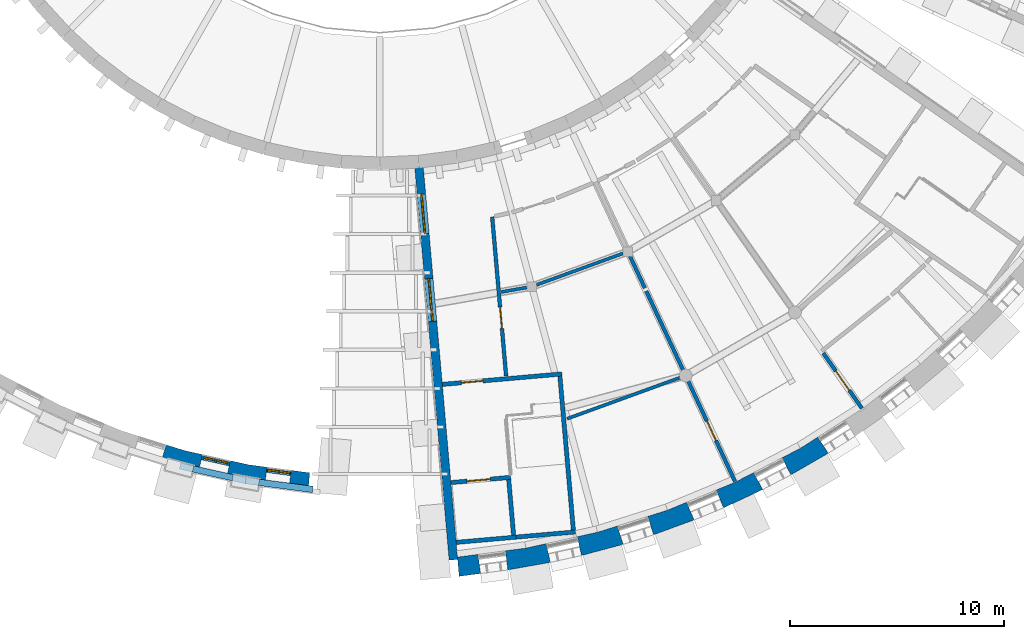
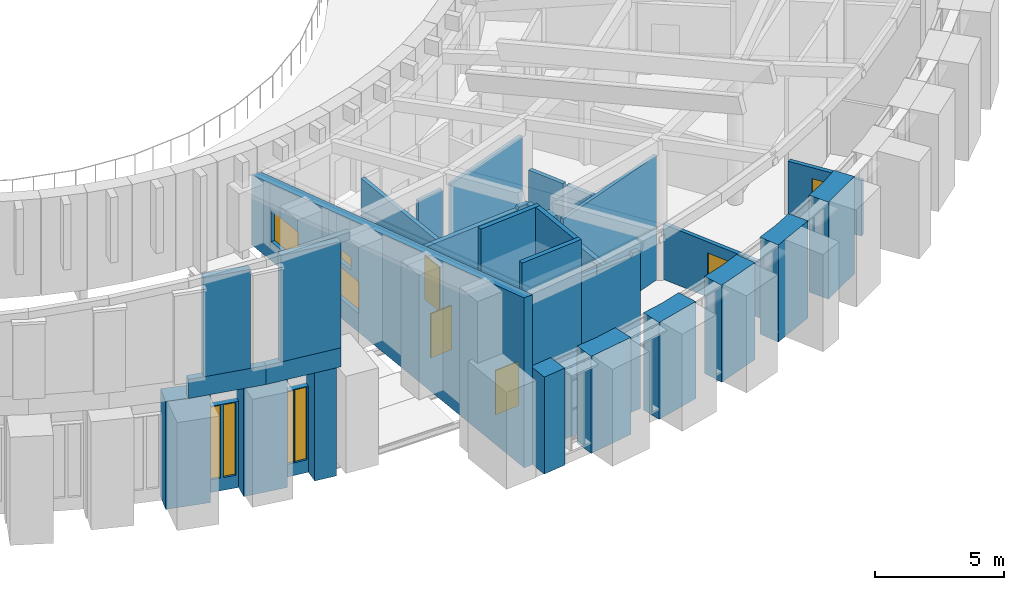
# One storey, part 24 of 50: 30 walls, 7 windows, 5 doors, 12 openings.
"""IFC4 building model written with IfcOpenShell, lengths in metres."""

from ifc_helpers import new_model, si_unit, direction, frame, frame_2d, origin, place, context, subcontext, project, spatial, polyline, rectangle, outline, extrude, material, layer, layer_set, type_object, element, fill, save


model = new_model("IFC4")

# Units and contexts
model_context = context("Model", 3, precision=1e-05, world=origin(), true_north=direction((0.0, 1.0)))
body_context = subcontext(model_context, "Body", "Model", "MODEL_VIEW")
ifc_project = project(units=[si_unit("LENGTHUNIT", "METRE"), si_unit("AREAUNIT", "SQUARE_METRE"), si_unit("VOLUMEUNIT", "CUBIC_METRE"), si_unit("PLANEANGLEUNIT", "RADIAN"), si_unit("MASSUNIT", "GRAM", prefix="KILO")], contexts=[model_context])

# Site, building, storey
site_placement = place(None, origin())
site = spatial("IfcSite", under=ifc_project, at=site_placement, CompositionType="ELEMENT")
building_placement = place(site_placement, origin())
building = spatial("IfcBuilding", under=site, at=building_placement, Name="Volute Hill Aquarium", CompositionType="ELEMENT")
storey_placement = place(building_placement, frame((0.0, 0.0, 9.199951171875)))
storey = spatial("IfcBuildingStorey", under=building, at=storey_placement, Name="L03", CompositionType="ELEMENT", Elevation=9.199951171875)

# Walls
ifc_material_1 = material(Name="Gypsum board on steel studs", Category="steel")
ifc_layer_1 = layer(ifc_material_1, 0.14990234375)
ifc_layer_set_1 = layer_set([ifc_layer_1], Name="Acoustic partition 150")
wall_type_1 = type_object("IfcWallType", Name="Acoustic partition 150", PredefinedType="PARTITIONING", material=ifc_layer_set_1)
wall_1_placement = place(storey_placement, frame((14.045166015625, -30.68505859375, 0.0), z_axis=(0.0, 0.0, 1.0), x_axis=(-0.939689857066, -0.342027736489, 0.0)))
element("IfcWall", 1, at=wall_1_placement, inside=storey, type_object=wall_type_1, Name="pw/S3/L03/004", PredefinedType="PARTITIONING", context=body_context, shape_type="SweptSolid", body=[
    extrude(rectangle(XDim=5.646240234375, YDim=0.14990234375, at=frame_2d((2.8232421875, 0.0))), origin(), (0.0, 0.0, 1.0), 5.904052734375),
])
wall_2_placement = place(storey_placement, frame((11.347412109375, -24.899658203125, 0.0), z_axis=(0.0, 0.0, 1.0), x_axis=(-0.939698761805, -0.342003270543, 0.0)))
element("IfcWall", 2, at=wall_2_placement, inside=storey, type_object=wall_type_1, Name="pw/S3/L03/007", PredefinedType="PARTITIONING", context=body_context, shape_type="SweptSolid", body=[
    extrude(rectangle(XDim=4.2939453125, YDim=0.14990234375, at=frame_2d((2.14697265625, 0.0))), origin(), (0.0, 0.0, 1.0), 4.262939453125),
])
wall_3_placement = place(storey_placement, frame((6.85107421875, -26.49169921875, 0.0), z_axis=(0.0, 0.0, 1.0), x_axis=(-0.984775389783, -0.173831618753, 0.0)))
element("IfcWall", 3, at=wall_3_placement, inside=storey, type_object=wall_type_1, Name="pw/S3/L03/024", PredefinedType="PARTITIONING", context=body_context, shape_type="SweptSolid", body=[
    extrude(rectangle(XDim=1.20361328125, YDim=0.14990234375, at=frame_2d((0.601806640625, 0.0))), origin(), (0.0, 0.0, 1.0), 4.262939453125),
])

# Wall, opening, door
ifc_material_2 = material(Name="Concrete C30/37", Category="concrete")
ifc_layer_2 = layer(ifc_material_2, 0.199951171875)
ifc_layer_set_2 = layer_set([ifc_layer_2], Name="Core wall 200 REI 60")
wall_type_2 = type_object("IfcWallType", Name="Core wall 200 REI 60", PredefinedType="SHEAR", material=ifc_layer_set_2)
wall_4_placement = place(storey_placement, frame((2.9140625, -31.013916015625, 0.0), z_axis=(0.0, 0.0, 1.0), x_axis=(0.996195468136, 0.08714694065, 0.0)))
wall_4 = element("IfcWall", 4, at=wall_4_placement, inside=storey, type_object=wall_type_2, Name="wc/S3-A/L03/in", PredefinedType="SHEAR", context=body_context, shape_type="SweptSolid", body=[
    extrude(outline(polyline([(0.0, 0.0), (5.60009765625, 0.0), (5.60009765625, 5.4150390625), (5.574951171875, 5.4150390625), (5.52490234375, 5.532470703125), (5.02490234375, 5.532470703125), (4.97509765625, 5.4150390625), (0.0, 5.4150390625), (0.0, 0.0)])), frame((0.0, 0.10009765625, 0.0), z_axis=(0.0, -1.0, 0.0), x_axis=(1.0, 0.0, 0.0)), (0.0, 0.0, 1.0), 0.199951171875),
])
opening_1_placement = place(wall_4_placement, frame((0.89990234375, 0.0, 0.0)))
opening_1 = element("IfcOpeningElement", 5, at=opening_1_placement, cuts=wall_4, Name="Opening D3.03.AS", PredefinedType="OPENING", context=body_context, shape_type="SweptSolid", body=[
    extrude(rectangle(XDim=1.0, YDim=2.10009765625, at=frame_2d((0.5, 1.050048828125))), frame((0.0, 0.10986328125, 0.0), z_axis=(0.0, -1.0, 0.0), x_axis=(1.0, 0.0, 0.0)), (0.0, 0.0, 1.0), 0.219970703125),
])
ifc_material_3 = material(Name="Timber, fire-rated", Category="wood")
door_type_1 = type_object("IfcDoorType", Name="Door 1000 x 2100 single EI1 30", OperationType="SINGLE_SWING_LEFT", PredefinedType="DOOR", material=ifc_material_3)
door_1_placement = place(opening_1_placement, origin())
door_1 = element("IfcDoor", 6, at=door_1_placement, inside=storey, type_object=door_type_1, Name="d/S3-A/L03/st", OperationType="SINGLE_SWING_RIGHT", OverallHeight=2.10009765625, OverallWidth=1.0, PredefinedType="DOOR", context=body_context, shape_type="SweptSolid", body=[
    extrude(rectangle(XDim=1.0, YDim=2.10009765625, at=frame_2d((0.5, 1.050048828125))), frame((0.0, 0.02490234375, 0.0), z_axis=(0.0, -1.0, 0.0), x_axis=(1.0, 0.0, 0.0)), (0.0, 0.0, 1.0), 0.050048828125),
])
fill(opening_1, door_1)

# Walls
wall_5_placement = place(storey_placement, frame((8.40185546875, -30.63427734375, 0.0), z_axis=(0.0, 0.0, 1.0), x_axis=(0.087144656612, -0.996195667941, 0.0)))
element("IfcWall", 7, at=wall_5_placement, inside=storey, type_object=wall_type_2, Name="wc/S3-A/L03/side", PredefinedType="SHEAR", context=body_context, shape_type="SweptSolid", body=[
    extrude(outline(polyline([(0.0, 0.0), (7.199951171875, 0.0), (7.199951171875, 5.5732421875), (1.7939453125, 5.5732421875), (1.743896484375, 5.923828125), (1.243896484375, 5.923828125), (1.194091796875, 5.5732421875), (0.0, 5.5732421875), (0.0, 0.0)])), frame((0.0, 0.10009765625, 0.0), z_axis=(0.0, -1.0, 0.0), x_axis=(1.0, 0.0, 0.0)), (0.0, 0.0, 1.0), 0.199951171875),
])
wall_6_placement = place(storey_placement, frame((6.348388671875, -38.141845703125, 0.0), z_axis=(0.0, 0.0, 1.0), x_axis=(0.996191351034, 0.087193991338, 0.0)))
element("IfcWall", 8, at=wall_6_placement, inside=storey, type_object=wall_type_2, Name="wc/S3-A/L03/out-b", PredefinedType="SHEAR", context=body_context, shape_type="SweptSolid", body=[
    extrude(outline(polyline([(0.0, 0.0), (2.800048828125, 0.0), (2.800048828125, 7.347412109375), (2.75, 7.507568359375), (2.44482421875, 7.507568359375), (2.39501953125, 7.347412109375), (0.0, 7.347412109375), (0.0, 0.0)])), frame((0.0, 0.10009765625, 0.0), z_axis=(0.0, -1.0, 0.0), x_axis=(1.0, 0.0, 0.0)), (0.0, 0.0, 1.0), 0.199951171875),
])

# Wall, opening, door
ifc_material_4 = material(Name="Gypsum board on steel studs", Category="steel")
ifc_layer_3 = layer(ifc_material_4, 0.175048828125)
ifc_layer_set_3 = layer_set([ifc_layer_3], Name="Corridor partition 175 EI 60")
wall_type_3 = type_object("IfcWallType", Name="Corridor partition 175 EI 60", PredefinedType="PARTITIONING", material=ifc_layer_set_3)
wall_7_placement = place(storey_placement, frame((5.2412109375, -23.192626953125, 0.0), z_axis=(0.0, 0.0, 1.0), x_axis=(0.087164920084, -0.996193895136, 0.0)))
wall_7 = element("IfcWall", 9, at=wall_7_placement, inside=storey, type_object=wall_type_3, Name="pw/S3/L03/002", PredefinedType="PARTITIONING", context=body_context, shape_type="SweptSolid", body=[
    extrude(rectangle(XDim=7.458740234375, YDim=0.175048828125, at=frame_2d((3.7294921875, 0.0))), origin(), (0.0, 0.0, 1.0), 3.352294921875),
])
opening_2_placement = place(wall_7_placement, frame((4.2294921875, 0.0, 0.0)))
opening_2 = element("IfcOpeningElement", 10, at=opening_2_placement, cuts=wall_7, Name="Opening D3.03.03", PredefinedType="OPENING", context=body_context, shape_type="SweptSolid", body=[
    extrude(rectangle(XDim=1.0, YDim=2.10009765625, at=frame_2d((0.5, 1.050048828125))), frame((0.0, 0.097412109375, 0.0), z_axis=(0.0, -1.0, 0.0), x_axis=(1.0, 0.0, 0.0)), (0.0, 0.0, 1.0), 0.195068359375),
])
door_2_placement = place(opening_2_placement, origin())
door_2 = element("IfcDoor", 11, at=door_2_placement, inside=storey, type_object=door_type_1, Name="d/S3/L03/03", OperationType="SINGLE_SWING_LEFT", OverallHeight=2.10009765625, OverallWidth=1.0, PredefinedType="DOOR", context=body_context, shape_type="SweptSolid", body=[
    extrude(rectangle(XDim=1.0, YDim=2.10009765625, at=frame_2d((0.5, 1.050048828125))), frame((0.0, 0.02490234375, 0.0), z_axis=(0.0, -1.0, 0.0), x_axis=(1.0, 0.0, 0.0)), (0.0, 0.0, 1.0), 0.050048828125),
])
fill(opening_2, door_2)

wall_8_placement = place(storey_placement, frame((16.5751953125, -35.54541015625, 0.0), z_axis=(0.0, 0.0, 1.0), x_axis=(-0.422659862642, 0.906288387056, 0.0)))
wall_8 = element("IfcWall", 12, at=wall_8_placement, inside=storey, type_object=wall_type_3, Name="pw/S3/L03/006", PredefinedType="PARTITIONING", context=body_context, shape_type="SweptSolid", body=[
    extrude(rectangle(XDim=5.213623046875, YDim=0.175048828125, at=frame_2d((2.60693359375, 0.0))), origin(), (0.0, 0.0, 1.0), 2.621826171875),
])
opening_3_placement = place(wall_8_placement, frame((2.106689453125, 0.0, 0.0)))
opening_3 = element("IfcOpeningElement", 13, at=opening_3_placement, cuts=wall_8, Name="Opening D3.03.06", PredefinedType="OPENING", context=body_context, shape_type="SweptSolid", body=[
    extrude(rectangle(XDim=1.0, YDim=2.10009765625, at=frame_2d((0.5, 1.050048828125))), frame((0.0, 0.097412109375, 0.0), z_axis=(0.0, -1.0, 0.0), x_axis=(1.0, 0.0, 0.0)), (0.0, 0.0, 1.0), 0.195068359375),
])
door_3_placement = place(opening_3_placement, origin())
door_3 = element("IfcDoor", 14, at=door_3_placement, inside=storey, type_object=door_type_1, Name="d/S3/L03/06", OperationType="SINGLE_SWING_RIGHT", OverallHeight=2.10009765625, OverallWidth=1.0, PredefinedType="DOOR", context=body_context, shape_type="SweptSolid", body=[
    extrude(rectangle(XDim=1.0, YDim=2.10009765625, at=frame_2d((0.5, 1.050048828125))), frame((0.0, 0.02490234375, 0.0), z_axis=(0.0, -1.0, 0.0), x_axis=(1.0, 0.0, 0.0)), (0.0, 0.0, 1.0), 0.050048828125),
])
fill(opening_3, door_3)

# Wall
wall_9_placement = place(storey_placement, frame((12.429931640625, -26.656005859375, 0.0), z_axis=(0.0, 0.0, 1.0), x_axis=(0.422628880051, -0.906302835561, 0.0)))
element("IfcWall", 15, at=wall_9_placement, inside=storey, type_object=wall_type_3, Name="pw/S3/L03/009", PredefinedType="PARTITIONING", context=body_context, shape_type="SweptSolid", body=[
    extrude(rectangle(XDim=4.115234375, YDim=0.175048828125, at=frame_2d((2.0576171875, 0.0))), origin(), (0.0, 0.0, 1.0), 2.621826171875),
])

# Wall, opening, door
wall_10_placement = place(storey_placement, frame((20.693115234375, -29.552978515625, 0.0), z_axis=(0.0, 0.0, 1.0), x_axis=(0.573577047164, -0.819151616592, 0.0)))
wall_10 = element("IfcWall", 16, at=wall_10_placement, inside=storey, type_object=wall_type_3, Name="pw/S3/L03/013", PredefinedType="PARTITIONING", context=body_context, shape_type="SweptSolid", body=[
    extrude(rectangle(XDim=3.142578125, YDim=0.175048828125, at=frame_2d((1.5712890625, 0.0))), origin(), (0.0, 0.0, 1.0), 2.621826171875),
])
opening_4_placement = place(wall_10_placement, frame((1.021240234375, 0.0, 0.0)))
opening_4 = element("IfcOpeningElement", 17, at=opening_4_placement, cuts=wall_10, Name="Opening D3.03.07", PredefinedType="OPENING", context=body_context, shape_type="SweptSolid", body=[
    extrude(rectangle(XDim=1.10009765625, YDim=2.10009765625, at=frame_2d((0.550048828125, 1.050048828125))), frame((0.0, 0.097412109375, 0.0), z_axis=(0.0, -1.0, 0.0), x_axis=(1.0, 0.0, 0.0)), (0.0, 0.0, 1.0), 0.195068359375),
])
ifc_material_5 = material(Name="Timber, fire-rated", Category="wood")
door_type_2 = type_object("IfcDoorType", Name="Door 1100 x 2100 accessible WC EI1 30", OperationType="SINGLE_SWING_LEFT", PredefinedType="DOOR", material=ifc_material_5)
door_4_placement = place(opening_4_placement, origin())
door_4 = element("IfcDoor", 18, at=door_4_placement, inside=storey, type_object=door_type_2, Name="d/S3/L03/07", OperationType="SINGLE_SWING_LEFT", OverallHeight=2.10009765625, OverallWidth=1.10009765625, PredefinedType="DOOR", context=body_context, shape_type="SweptSolid", body=[
    extrude(rectangle(XDim=1.10009765625, YDim=2.10009765625, at=frame_2d((0.550048828125, 1.050048828125))), frame((0.0, 0.02490234375, 0.0), z_axis=(0.0, -1.0, 0.0), x_axis=(1.0, 0.0, 0.0)), (0.0, 0.0, 1.0), 0.050048828125),
])
fill(opening_4, door_4)

# Walls
wall_11_placement = place(storey_placement, frame((11.674072265625, -25.034912109375, 0.0), z_axis=(0.0, 0.0, 1.0), x_axis=(0.422616329409, -0.906308688095, 0.0)))
element("IfcWall", 19, at=wall_11_placement, inside=storey, type_object=wall_type_3, Name="pw/S3/L03/023", PredefinedType="PARTITIONING", context=body_context, shape_type="SweptSolid", body=[
    extrude(rectangle(XDim=1.638916015625, YDim=0.175048828125, at=frame_2d((0.8193359375, 0.0))), origin(), (0.0, 0.0, 1.0), 2.621826171875),
])
ifc_material_6 = material(Name="Precast concrete C40/50", Category="concrete")
ifc_layer_4 = layer(ifc_material_6, 0.300048828125)
ifc_layer_set_4 = layer_set([ifc_layer_4], Name="Crown screen wall precast concrete C40/50 300")
wall_type_4 = type_object("IfcWallType", Name="Crown screen wall precast concrete C40/50 300", PredefinedType="NOTDEFINED", material=ifc_layer_set_4)
wall_12_placement = place(storey_placement, frame((0.0, 0.0, 6.022705078125)))
element("IfcWall", 20, at=wall_12_placement, inside=storey, type_object=wall_type_4, Name="Crown screen wall CSW S2 9", PredefinedType="NOTDEFINED", context=body_context, shape_type="SweptSolid", body=[
    extrude(outline(polyline([(-8.76123046875, -35.101806640625), (-6.89404296875, -35.515625), (-6.842041015625, -35.219970703125), (-8.68359375, -34.811767578125), (-8.76123046875, -35.101806640625)])), origin(), (0.0, 0.0, 1.0), 4.697265625),
])
wall_13_placement = place(storey_placement, frame((0.0, 0.0, 6.022705078125)))
element("IfcWall", 21, at=wall_13_placement, inside=storey, type_object=wall_type_4, Name="Crown screen wall CSW S2 10", PredefinedType="NOTDEFINED", context=body_context, shape_type="SweptSolid", body=[
    extrude(outline(polyline([(-5.668701171875, -35.731689453125), (-3.155029296875, -36.062744140625), (-3.12890625, -35.763671875), (-5.616455078125, -35.43603515625), (-5.668701171875, -35.731689453125)])), origin(), (0.0, 0.0, 1.0), 5.039306640625),
])

# Wall, openings, windows
ifc_material_7 = material(Name="Concrete C35/45", Category="concrete")
ifc_layer_5 = layer(ifc_material_7, 0.39990234375)
ifc_layer_set_5 = layer_set([ifc_layer_5], Name="End wall 400 C35/45")
wall_type_5 = type_object("IfcWallType", Name="End wall 400 C35/45", PredefinedType="SHEAR", material=ifc_layer_set_5)
wall_14_placement = place(storey_placement, frame((1.821533203125, -20.820556640625, 0.0), z_axis=(0.0, 0.0, 1.0), x_axis=(0.087163503101, -0.996194019118, 0.0)))
wall_14 = element("IfcWall", 22, at=wall_14_placement, inside=storey, type_object=wall_type_5, Name="sw/S3/L03/endA", PredefinedType="SHEAR", context=body_context, shape_type="SweptSolid", body=[
    extrude(outline(polyline([(0.0, 0.0), (18.449951171875, 0.0), (18.449951171875, 8.059326171875), (16.143798828125, 7.466552734375), (13.83740234375, 6.87353515625), (11.53125, 6.28076171875), (9.22509765625, 5.687744140625), (6.918701171875, 5.094970703125), (4.612548828125, 4.501953125), (2.306396484375, 3.908935546875), (0.0, 3.316162109375), (0.0, 0.0)])), frame((0.0, 0.199951171875, 0.0), z_axis=(0.0, -1.0, 0.0), x_axis=(1.0, 0.0, 0.0)), (0.0, 0.0, 1.0), 0.39990234375),
])
opening_5_placement = place(wall_14_placement, frame((1.320068359375, 0.0, 0.89990234375)))
opening_5 = element("IfcOpeningElement", 23, at=opening_5_placement, cuts=wall_14, Name="Opening W9", PredefinedType="OPENING", context=body_context, shape_type="SweptSolid", body=[
    extrude(rectangle(XDim=1.857421875, YDim=1.5, at=frame_2d((0.9287109375, 0.75))), frame((0.0, 0.2099609375, 0.0), z_axis=(0.0, -1.0, 0.0), x_axis=(1.0, 0.0, 0.0)), (0.0, 0.0, 1.0), 0.419921875),
])
opening_6_placement = place(wall_14_placement, frame((5.27734375, 0.0, 0.89990234375)))
opening_6 = element("IfcOpeningElement", 24, at=opening_6_placement, cuts=wall_14, Name="Opening W11", PredefinedType="OPENING", context=body_context, shape_type="SweptSolid", body=[
    extrude(rectangle(XDim=2.007568359375, YDim=1.5, at=frame_2d((1.00390625, 0.75))), frame((0.0, 0.2099609375, 0.0), z_axis=(0.0, -1.0, 0.0), x_axis=(1.0, 0.0, 0.0)), (0.0, 0.0, 1.0), 0.419921875),
])
opening_7_placement = place(wall_14_placement, frame((5.831298828125, 0.0, 2.64990234375)))
opening_7 = element("IfcOpeningElement", 25, at=opening_7_placement, cuts=wall_14, Name="Opening W10", PredefinedType="OPENING", context=body_context, shape_type="SweptSolid", body=[
    extrude(rectangle(XDim=0.89990234375, YDim=0.60009765625, at=frame_2d((0.449951171875, 0.300048828125))), frame((0.0, 0.2099609375, 0.0), z_axis=(0.0, -1.0, 0.0), x_axis=(1.0, 0.0, 0.0)), (0.0, 0.0, 1.0), 0.419921875),
])
ifc_material_8 = material(Name="Aluminium and glass", Category="aluminium")
window_type_1 = type_object("IfcWindowType", Name="End wall window 1857x1500", PartitioningType="SINGLE_PANEL", PredefinedType="WINDOW", material=ifc_material_8)
window_1_placement = place(opening_5_placement, origin())
window_1 = element("IfcWindow", 26, at=window_1_placement, inside=storey, type_object=window_type_1, Name="End wall window S3A L03 1.1", OverallHeight=1.5, OverallWidth=1.857421875, PartitioningType="SINGLE_PANEL", PredefinedType="WINDOW", context=body_context, shape_type="SweptSolid", body=[
    extrude(rectangle(XDim=1.857421875, YDim=1.5, at=frame_2d((0.9287109375, 0.75))), frame((0.0, 0.030029296875, 0.0), z_axis=(0.0, -1.0, 0.0), x_axis=(1.0, 0.0, 0.0)), (0.0, 0.0, 1.0), 0.06005859375),
])
fill(opening_5, window_1)
ifc_material_9 = material(Name="Aluminium and glass", Category="aluminium")
window_type_2 = type_object("IfcWindowType", Name="End wall window 2007x1500", PartitioningType="SINGLE_PANEL", PredefinedType="WINDOW", material=ifc_material_9)
window_2_placement = place(opening_6_placement, origin())
window_2 = element("IfcWindow", 27, at=window_2_placement, inside=storey, type_object=window_type_2, Name="End wall window S3A L03 2.1", OverallHeight=1.5, OverallWidth=2.007568359375, PartitioningType="SINGLE_PANEL", PredefinedType="WINDOW", context=body_context, shape_type="SweptSolid", body=[
    extrude(rectangle(XDim=2.007568359375, YDim=1.5, at=frame_2d((1.00390625, 0.75))), frame((0.0, 0.030029296875, 0.0), z_axis=(0.0, -1.0, 0.0), x_axis=(1.0, 0.0, 0.0)), (0.0, 0.0, 1.0), 0.06005859375),
])
fill(opening_6, window_2)
ifc_material_10 = material(Name="Aluminium and glass", Category="aluminium")
window_type_3 = type_object("IfcWindowType", Name="End wall window 900x600", PartitioningType="SINGLE_PANEL", PredefinedType="WINDOW", material=ifc_material_10)
window_3_placement = place(opening_7_placement, origin())
window_3 = element("IfcWindow", 28, at=window_3_placement, inside=storey, type_object=window_type_3, Name="End wall window S3A L03 2.2", OverallHeight=0.60009765625, OverallWidth=0.89990234375, PartitioningType="SINGLE_PANEL", PredefinedType="WINDOW", context=body_context, shape_type="SweptSolid", body=[
    extrude(rectangle(XDim=0.89990234375, YDim=0.60009765625, at=frame_2d((0.449951171875, 0.300048828125))), frame((0.0, 0.030029296875, 0.0), z_axis=(0.0, -1.0, 0.0), x_axis=(1.0, 0.0, 0.0)), (0.0, 0.0, 1.0), 0.06005859375),
])
fill(opening_7, window_3)

ifc_material_11 = material(Name="Concrete C30/37", Category="concrete")
ifc_layer_6 = layer(ifc_material_11, 0.25)
ifc_layer_set_6 = layer_set([ifc_layer_6], Name="Niche back wall full height 250")
wall_type_6 = type_object("IfcWallType", Name="Niche back wall full height 250", PredefinedType="NOTDEFINED", material=ifc_layer_set_6)
wall_15_placement = place(storey_placement, frame((-7.00537109375, -34.697265625, 0.0), z_axis=(0.0, 0.0, 1.0), x_axis=(-0.976294025083, 0.216448554135, 0.0)))
wall_15 = element("IfcWall", 29, at=wall_15_placement, inside=storey, type_object=wall_type_6, Name="Niche back wall OWN S2 L03 9", PredefinedType="NOTDEFINED", context=body_context, shape_type="SweptSolid", body=[
    extrude(rectangle(XDim=1.341064453125, YDim=0.25, at=frame_2d((0.67041015625, 0.0))), origin(), (0.0, 0.0, 1.0), 4.0869140625),
])
opening_8_placement = place(wall_15_placement, frame((0.72900390625, 0.0, 0.60009765625)))
opening_8 = element("IfcOpeningElement", 30, at=opening_8_placement, cuts=wall_15, Name="Opening W3", PredefinedType="OPENING", context=body_context, shape_type="SweptSolid", body=[
    extrude(rectangle(XDim=0.5, YDim=3.449951171875, at=frame_2d((0.25, 1.72509765625))), frame((0.0, 0.135009765625, 0.0), z_axis=(0.0, -1.0, 0.0), x_axis=(1.0, 0.0, 0.0)), (0.0, 0.0, 1.0), 0.27001953125),
])
opening_9_placement = place(wall_15_placement, frame((0.112060546875, 0.0, 0.60009765625)))
opening_9 = element("IfcOpeningElement", 31, at=opening_9_placement, cuts=wall_15, Name="Opening W3", PredefinedType="OPENING", context=body_context, shape_type="SweptSolid", body=[
    extrude(rectangle(XDim=0.5, YDim=3.449951171875, at=frame_2d((0.25, 1.72509765625))), frame((0.0, 0.135009765625, 0.0), z_axis=(0.0, -1.0, 0.0), x_axis=(1.0, 0.0, 0.0)), (0.0, 0.0, 1.0), 0.27001953125),
])
ifc_material_12 = material(Name="Aluminium and glass", Category="aluminium")
window_type_4 = type_object("IfcWindowType", Name="Slit window 500x3450", PartitioningType="SINGLE_PANEL", PredefinedType="WINDOW", material=ifc_material_12)
window_4_placement = place(opening_8_placement, origin())
window_4 = element("IfcWindow", 32, at=window_4_placement, inside=storey, type_object=window_type_4, Name="Slit window S2 L03 9.1.1", OverallHeight=3.449951171875, OverallWidth=0.5, PartitioningType="SINGLE_PANEL", PredefinedType="WINDOW", context=body_context, shape_type="SweptSolid", body=[
    extrude(rectangle(XDim=0.5, YDim=3.449951171875, at=frame_2d((0.25, 1.72509765625))), frame((0.0, 0.030029296875, 0.0), z_axis=(0.0, -1.0, 0.0), x_axis=(1.0, 0.0, 0.0)), (0.0, 0.0, 1.0), 0.06005859375),
])
fill(opening_8, window_4)
window_5_placement = place(opening_9_placement, origin())
window_5 = element("IfcWindow", 33, at=window_5_placement, inside=storey, type_object=window_type_4, Name="Slit window S2 L03 9.1.2", OverallHeight=3.449951171875, OverallWidth=0.5, PartitioningType="SINGLE_PANEL", PredefinedType="WINDOW", context=body_context, shape_type="SweptSolid", body=[
    extrude(rectangle(XDim=0.5, YDim=3.449951171875, at=frame_2d((0.25, 1.72509765625))), frame((0.0, 0.030029296875, 0.0), z_axis=(0.0, -1.0, 0.0), x_axis=(1.0, 0.0, 0.0)), (0.0, 0.0, 1.0), 0.06005859375),
])
fill(opening_9, window_5)

wall_16_placement = place(storey_placement, frame((-4.153076171875, -35.149658203125, 0.0), z_axis=(0.0, 0.0, 1.0), x_axis=(-0.991443366471, 0.130537546632, 0.0)))
wall_16 = element("IfcWall", 34, at=wall_16_placement, inside=storey, type_object=wall_type_6, Name="Niche back wall OWN S2 L03 10", PredefinedType="NOTDEFINED", context=body_context, shape_type="SweptSolid", body=[
    extrude(rectangle(XDim=1.140869140625, YDim=0.25, at=frame_2d((0.5703125, 0.0))), origin(), (0.0, 0.0, 1.0), 4.081787109375),
])
opening_10_placement = place(wall_16_placement, frame((0.582763671875, 0.0, 0.60009765625)))
opening_10 = element("IfcOpeningElement", 35, at=opening_10_placement, cuts=wall_16, Name="Opening W3", PredefinedType="OPENING", context=body_context, shape_type="SweptSolid", body=[
    extrude(rectangle(XDim=0.5, YDim=3.449951171875, at=frame_2d((0.25, 1.72509765625))), frame((0.0, 0.135009765625, 0.0), z_axis=(0.0, -1.0, 0.0), x_axis=(1.0, 0.0, 0.0)), (0.0, 0.0, 1.0), 0.27001953125),
])
opening_11_placement = place(wall_16_placement, frame((0.05810546875, 0.0, 0.60009765625)))
opening_11 = element("IfcOpeningElement", 36, at=opening_11_placement, cuts=wall_16, Name="Opening W3", PredefinedType="OPENING", context=body_context, shape_type="SweptSolid", body=[
    extrude(rectangle(XDim=0.5, YDim=3.449951171875, at=frame_2d((0.25, 1.72509765625))), frame((0.0, 0.135009765625, 0.0), z_axis=(0.0, -1.0, 0.0), x_axis=(1.0, 0.0, 0.0)), (0.0, 0.0, 1.0), 0.27001953125),
])
window_6_placement = place(opening_10_placement, origin())
window_6 = element("IfcWindow", 37, at=window_6_placement, inside=storey, type_object=window_type_4, Name="Slit window S2 L03 10.1.1", OverallHeight=3.449951171875, OverallWidth=0.5, PartitioningType="SINGLE_PANEL", PredefinedType="WINDOW", context=body_context, shape_type="SweptSolid", body=[
    extrude(rectangle(XDim=0.5, YDim=3.449951171875, at=frame_2d((0.25, 1.72509765625))), frame((0.0, 0.030029296875, 0.0), z_axis=(0.0, -1.0, 0.0), x_axis=(1.0, 0.0, 0.0)), (0.0, 0.0, 1.0), 0.06005859375),
])
fill(opening_10, window_6)
window_7_placement = place(opening_11_placement, origin())
window_7 = element("IfcWindow", 38, at=window_7_placement, inside=storey, type_object=window_type_4, Name="Slit window S2 L03 10.1.2", OverallHeight=3.449951171875, OverallWidth=0.5, PartitioningType="SINGLE_PANEL", PredefinedType="WINDOW", context=body_context, shape_type="SweptSolid", body=[
    extrude(rectangle(XDim=0.5, YDim=3.449951171875, at=frame_2d((0.25, 1.72509765625))), frame((0.0, 0.030029296875, 0.0), z_axis=(0.0, -1.0, 0.0), x_axis=(1.0, 0.0, 0.0)), (0.0, 0.0, 1.0), 0.06005859375),
])
fill(opening_11, window_7)

# Walls
ifc_material_13 = material(Name="Precast concrete C40/50", Category="concrete")
ifc_layer_7 = layer(ifc_material_13, 0.89990234375)
ifc_layer_set_7 = layer_set([ifc_layer_7], Name="Outer pier precast concrete C40/50 900")
wall_type_7 = type_object("IfcWallType", Name="Outer pier precast concrete C40/50 900", PredefinedType="NOTDEFINED", material=ifc_layer_set_7)
wall_17_placement = place(storey_placement, origin())
element("IfcWall", 39, at=wall_17_placement, inside=storey, type_object=wall_type_7, Name="Outer pier OWP S2 L03 9", PredefinedType="NOTDEFINED", context=body_context, shape_type="SweptSolid", body=[
    extrude(outline(polyline([(-9.965087890625, -33.83544921875), (-10.23583984375, -34.69384765625), (-8.482421875, -35.16357421875), (-8.28759765625, -34.284912109375), (-9.13623046875, -34.0966796875), (-9.965087890625, -33.83544921875)])), origin(), (0.0, 0.0, 1.0), 5.12255859375),
])
wall_18_placement = place(storey_placement, origin())
element("IfcWall", 40, at=wall_18_placement, inside=storey, type_object=wall_type_7, Name="Outer pier OWP S2 L03 10", PredefinedType="NOTDEFINED", context=body_context, shape_type="SweptSolid", body=[
    extrude(outline(polyline([(-6.978271484375, -34.5751953125), (-7.173095703125, -35.453857421875), (-5.385498046875, -35.76904296875), (-5.267822265625, -34.876708984375), (-6.129638671875, -34.76318359375), (-6.978271484375, -34.5751953125)])), origin(), (0.0, 0.0, 1.0), 5.12255859375),
])
wall_19_placement = place(storey_placement, origin())
element("IfcWall", 41, at=wall_19_placement, inside=storey, type_object=wall_type_7, Name="Outer pier OWP S2 L03 11", PredefinedType="NOTDEFINED", context=body_context, shape_type="SweptSolid", body=[
    extrude(outline(polyline([(-4.13671875, -35.025634765625), (-4.25439453125, -35.91796875), (-3.353515625, -36.03662109375), (-3.275146484375, -35.13916015625), (-4.13671875, -35.025634765625)])), origin(), (0.0, 0.0, 1.0), 5.12255859375),
])
wall_20_placement = place(storey_placement, origin())
element("IfcWall", 42, at=wall_20_placement, inside=storey, type_object=wall_type_7, Name="Outer pier OWP S3 L03 1", PredefinedType="NOTDEFINED", context=body_context, shape_type="SweptSolid", body=[
    extrude(outline(polyline([(3.619384765625, -39.073974609375), (3.69775390625, -39.971435546875), (4.69580078125, -39.840087890625), (4.578369140625, -38.94775390625), (3.619384765625, -39.073974609375)])), origin(), (0.0, 0.0, 1.0), 4.60009765625),
])
wall_21_placement = place(storey_placement, origin())
element("IfcWall", 43, at=wall_21_placement, inside=storey, type_object=wall_type_7, Name="Outer pier OWP S3 L03 2", PredefinedType="NOTDEFINED", context=body_context, shape_type="SweptSolid", body=[
    extrude(outline(polyline([(5.8564453125, -38.779541015625), (5.973876953125, -39.671875), (7.954833984375, -39.322509765625), (7.760009765625, -38.44384765625), (6.815673828125, -38.6533203125), (5.8564453125, -38.779541015625)])), origin(), (0.0, 0.0, 1.0), 4.60009765625),
])
wall_22_placement = place(storey_placement, origin())
element("IfcWall", 44, at=wall_22_placement, inside=storey, type_object=wall_type_7, Name="Outer pier OWP S3 L03 3", PredefinedType="NOTDEFINED", context=body_context, shape_type="SweptSolid", body=[
    extrude(outline(polyline([(9.2138671875, -38.12158203125), (9.40869140625, -39.000244140625), (11.351806640625, -38.479736328125), (11.0810546875, -37.621337890625), (10.158447265625, -37.912109375), (9.2138671875, -38.12158203125)])), origin(), (0.0, 0.0, 1.0), 4.60009765625),
])
wall_23_placement = place(storey_placement, origin())
element("IfcWall", 45, at=wall_23_placement, inside=storey, type_object=wall_type_7, Name="Outer pier OWP S3 L03 4", PredefinedType="NOTDEFINED", context=body_context, shape_type="SweptSolid", body=[
    extrude(outline(polyline([(12.50146484375, -37.173583984375), (12.77197265625, -38.03173828125), (14.662353515625, -37.34375), (14.31787109375, -36.51220703125), (13.424072265625, -36.882568359375), (12.50146484375, -37.173583984375)])), origin(), (0.0, 0.0, 1.0), 4.60009765625),
])
wall_24_placement = place(storey_placement, origin())
element("IfcWall", 46, at=wall_24_placement, inside=storey, type_object=wall_type_7, Name="Outer pier OWP S3 L03 5", PredefinedType="NOTDEFINED", context=body_context, shape_type="SweptSolid", body=[
    extrude(outline(polyline([(15.69384765625, -35.9423828125), (16.0380859375, -36.77392578125), (17.861328125, -35.923828125), (17.445556640625, -35.12548828125), (16.587646484375, -35.572265625), (15.69384765625, -35.9423828125)])), origin(), (0.0, 0.0, 1.0), 4.60009765625),
])
wall_25_placement = place(storey_placement, origin())
element("IfcWall", 47, at=wall_25_placement, inside=storey, type_object=wall_type_7, Name="Outer pier OWP S3 L03 6", PredefinedType="NOTDEFINED", context=body_context, shape_type="SweptSolid", body=[
    extrude(outline(polyline([(18.7666015625, -34.437744140625), (19.18212890625, -35.236083984375), (20.92431640625, -34.23046875), (20.440673828125, -33.471435546875), (19.624755859375, -33.9912109375), (18.7666015625, -34.437744140625)])), origin(), (0.0, 0.0, 1.0), 4.60009765625),
])
ifc_material_14 = material(Name="Precast concrete C40/50", Category="concrete")
ifc_layer_8 = layer(ifc_material_14, 0.300048828125)
ifc_layer_set_8 = layer_set([ifc_layer_8], Name="Roof edge parapet precast concrete C40/50 300")
wall_type_8 = type_object("IfcWallType", Name="Roof edge parapet precast concrete C40/50 300", PredefinedType="PARAPET", material=ifc_layer_set_8)
wall_26_placement = place(storey_placement, frame((0.0, 0.0, 5.12255859375)))
element("IfcWall", 48, at=wall_26_placement, inside=storey, type_object=wall_type_8, Name="Roof edge parapet PAR S2 9", PredefinedType="PARAPET", context=body_context, shape_type="SweptSolid", body=[
    extrude(outline(polyline([(-9.291748046875, -34.6767578125), (-9.369384765625, -34.966796875), (-6.2861328125, -35.650390625), (-6.23388671875, -35.354736328125), (-9.291748046875, -34.6767578125)])), origin(), (0.0, 0.0, 1.0), 0.900146484375),
])
wall_27_placement = place(storey_placement, frame((0.0, 0.0, 5.12255859375)))
element("IfcWall", 49, at=wall_27_placement, inside=storey, type_object=wall_type_8, Name="Roof edge parapet PAR S2 10", PredefinedType="PARAPET", context=body_context, shape_type="SweptSolid", body=[
    extrude(outline(polyline([(-3.155029296875, -36.062744140625), (-3.12890625, -35.763671875), (-6.23388671875, -35.354736328125), (-6.2861328125, -35.650390625), (-3.155029296875, -36.062744140625)])), origin(), (0.0, 0.0, 1.0), 0.900146484375),
])
ifc_material_15 = material(Name="Concrete C30/37", Category="concrete")
ifc_layer_9 = layer(ifc_material_15, 0.199951171875)
ifc_layer_set_9 = layer_set([ifc_layer_9], Name="Shaft wall 200 EI 60")
wall_type_9 = type_object("IfcWallType", Name="Shaft wall 200 EI 60", PredefinedType="SOLIDWALL", material=ifc_layer_set_9)
wall_28_placement = place(storey_placement, frame((3.55908203125, -38.385986328125, 0.0), z_axis=(0.0, 0.0, 1.0), x_axis=(0.996191351034, 0.087193991338, 0.0)))
element("IfcWall", 50, at=wall_28_placement, inside=storey, type_object=wall_type_9, Name="wc/S3-A/L03/out-a", PredefinedType="SOLIDWALL", context=body_context, shape_type="SweptSolid", body=[
    extrude(rectangle(XDim=2.800048828125, YDim=0.199951171875, at=frame_2d((1.39990234375, 0.0))), origin(), (0.0, 0.0, 1.0), 9.149169921875),
])

# Wall, opening, door
wall_29_placement = place(storey_placement, frame((3.315185546875, -35.596435546875, 0.0), z_axis=(0.0, 0.0, 1.0), x_axis=(0.996198921169, 0.087107459278, 0.0)))
wall_29 = element("IfcWall", 51, at=wall_29_placement, inside=storey, type_object=wall_type_9, Name="wc/S3-A/L03/front", PredefinedType="SOLIDWALL", context=body_context, shape_type="SweptSolid", body=[
    extrude(rectangle(XDim=2.800048828125, YDim=0.199951171875, at=frame_2d((1.39990234375, 0.0))), origin(), (0.0, 0.0, 1.0), 9.149169921875),
])
opening_12_placement = place(wall_29_placement, frame((0.75, 0.0, 0.0)))
opening_12 = element("IfcOpeningElement", 52, at=opening_12_placement, cuts=wall_29, Name="Opening LD3.03.A", PredefinedType="OPENING", context=body_context, shape_type="SweptSolid", body=[
    extrude(rectangle(XDim=1.10009765625, YDim=2.10009765625, at=frame_2d((0.550048828125, 1.050048828125))), frame((0.0, 0.10986328125, 0.0), z_axis=(0.0, -1.0, 0.0), x_axis=(1.0, 0.0, 0.0)), (0.0, 0.0, 1.0), 0.219970703125),
])
ifc_material_16 = material(Name="Stainless steel", Category="steel")
door_type_3 = type_object("IfcDoorType", Name="Lift landing door 1100 x 2100", OperationType="SLIDING_TO_LEFT", PredefinedType="DOOR", material=ifc_material_16)
door_5_placement = place(opening_12_placement, origin())
door_5 = element("IfcDoor", 53, at=door_5_placement, inside=storey, type_object=door_type_3, Name="d/S3-A/L03/ld", OperationType="SLIDING_TO_LEFT", OverallHeight=2.10009765625, OverallWidth=1.10009765625, PredefinedType="DOOR", context=body_context, shape_type="SweptSolid", body=[
    extrude(rectangle(XDim=1.10009765625, YDim=2.10009765625, at=frame_2d((0.550048828125, 1.050048828125))), frame((0.0, 0.02490234375, 0.0), z_axis=(0.0, -1.0, 0.0), x_axis=(1.0, 0.0, 0.0)), (0.0, 0.0, 1.0), 0.050048828125),
])
fill(opening_12, door_5)

# Wall
wall_30_placement = place(storey_placement, frame((6.013427734375, -35.460693359375, 0.0), z_axis=(0.0, 0.0, 1.0), x_axis=(0.087140158824, -0.996196061386, 0.0)))
element("IfcWall", 54, at=wall_30_placement, inside=storey, type_object=wall_type_9, Name="wc/S3-A/L03/shaft-side", PredefinedType="SOLIDWALL", context=body_context, shape_type="SweptSolid", body=[
    extrude(rectangle(XDim=2.60009765625, YDim=0.199951171875, at=frame_2d((1.300048828125, 0.0))), origin(), (0.0, 0.0, 1.0), 9.149169921875),
])

save(model, "model.ifc")
